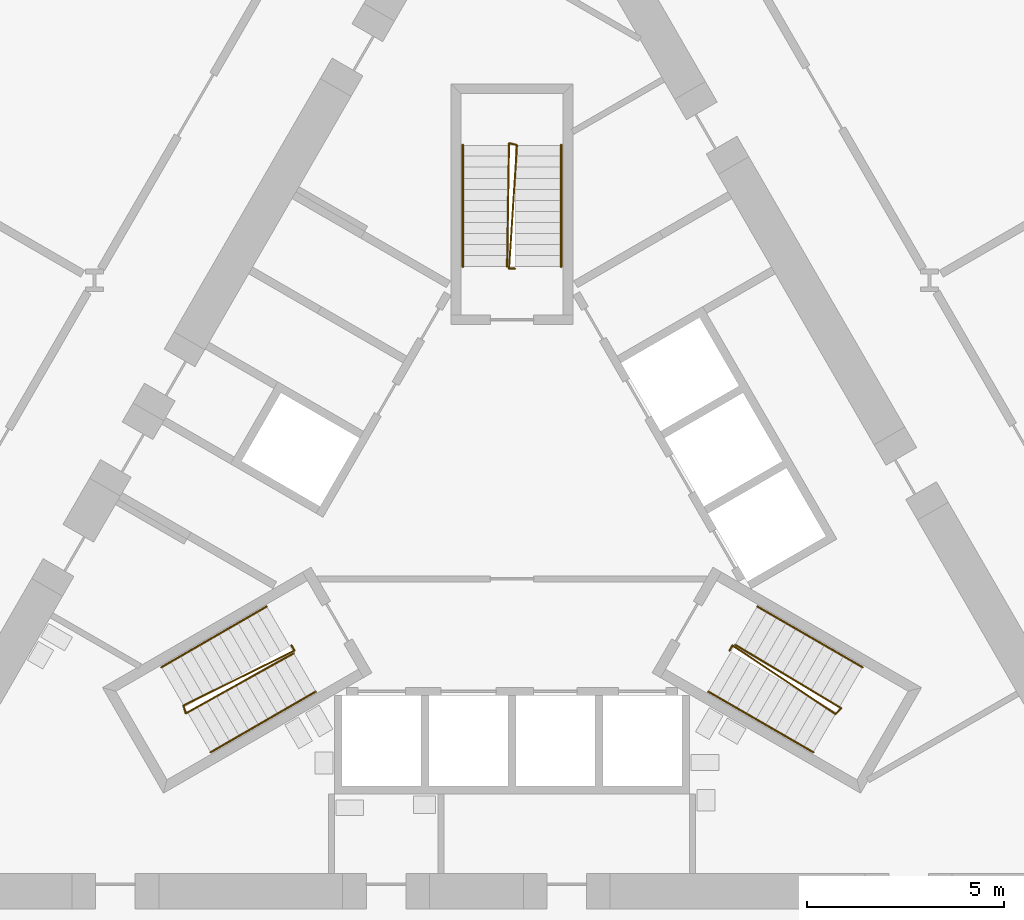
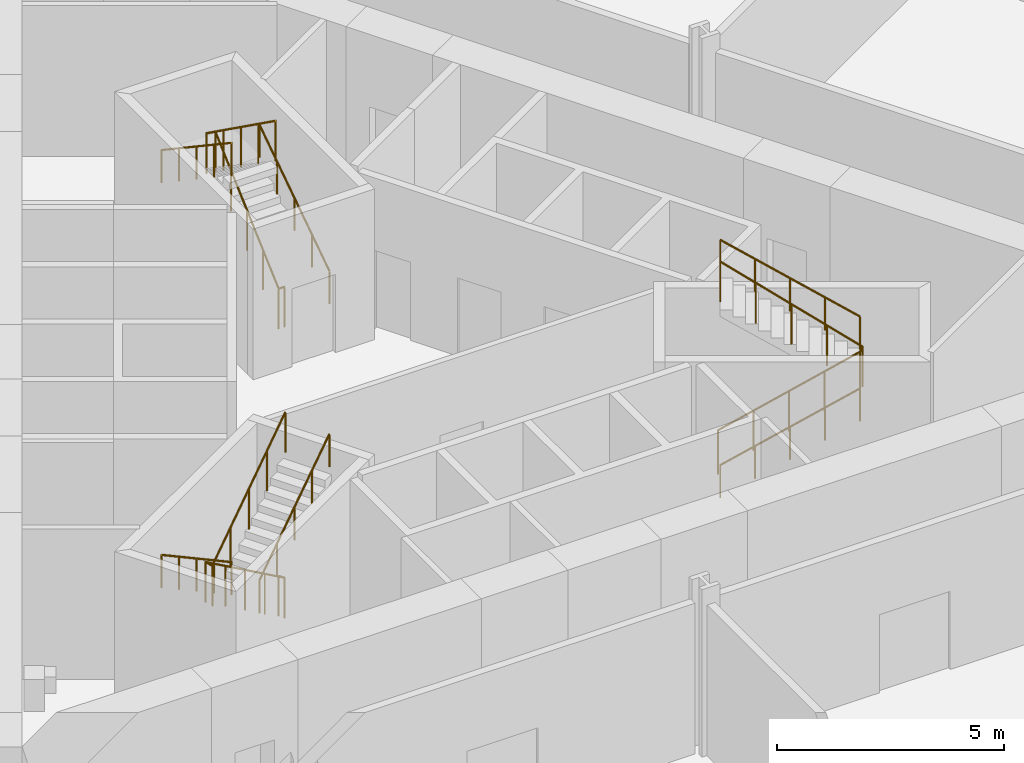
# One storey, part 7 of 8: 9 railings.
"""IFC4 building model written with IfcOpenShell, lengths in metres."""

from ifc_helpers import new_model, si_unit, direction, frame, origin, origin_2d, place, context, subcontext, project, spatial, circle, extrude, material, type_object, element, save


model = new_model("IFC4")

# Units and contexts
model_context = context("Model", 3, precision=1e-05, world=origin(), true_north=direction((0.0, 1.0)))
body_context = subcontext(model_context, "Body", "Model", "MODEL_VIEW")
ifc_project = project(units=[si_unit("LENGTHUNIT", "METRE"), si_unit("AREAUNIT", "SQUARE_METRE"), si_unit("VOLUMEUNIT", "CUBIC_METRE"), si_unit("PLANEANGLEUNIT", "RADIAN"), si_unit("MASSUNIT", "GRAM", prefix="KILO")], contexts=[model_context])

# Site, building, storey
site_placement = place(None, origin())
site = spatial("IfcSite", under=ifc_project, at=site_placement, CompositionType="ELEMENT")
building_placement = place(site_placement, origin())
building = spatial("IfcBuilding", under=site, at=building_placement, Name="Cormorant Prow Tower", CompositionType="ELEMENT")
storey_placement = place(building_placement, frame((0.0, 0.0, 21.0)))
storey = spatial("IfcBuildingStorey", under=building, at=storey_placement, Name="L03", CompositionType="ELEMENT", Elevation=21.0)

# Railings
ifc_material_1 = material(Name="Stainless steel", Category="steel")
railing_type_1 = type_object("IfcRailingType", Name="Stair guard 1100", PredefinedType="GUARDRAIL", material=ifc_material_1)
railing_1_placement = place(storey_placement, frame((-5.585205078125, -3.137939453125, 0.0)))
element("IfcRailing", 1, at=railing_1_placement, inside=storey, type_object=railing_type_1, Name="L03 ST1 stair guard 1", PredefinedType="GUARDRAIL", context=body_context, shape_type="SweptSolid", body=[
    extrude(circle(Radius=0.02392578125, at=origin_2d()), frame((0.0, 0.0, 1.076171875), z_axis=(0.501036270542, -0.865426285481, 0.0), x_axis=(0.865426285481, 0.501036270542, 0.0)), (0.0, 0.0, 1.0), 0.150146484375),
    extrude(circle(Radius=0.02392578125, at=origin_2d()), frame((0.0751953125, -0.1298828125, 1.076171875), z_axis=(-0.728167570244, -0.360573553197, 0.582888241758), x_axis=(0.443754251299, -0.896148516963, 0.0)), (0.0, 0.0, 1.0), 3.860107421875),
    extrude(circle(Radius=0.02392578125, at=origin_2d()), frame((-2.735595703125, -1.521728515625, 3.326171875), z_axis=(0.274721127897, -0.961523947641, 0.0), x_axis=(0.961523947641, 0.274721127897, 0.0)), (0.0, 0.0, 1.0), 0.2060546875),
    extrude(circle(Radius=0.02392578125, at=origin_2d()), frame((-2.678955078125, -1.719970703125, 3.326171875), z_axis=(0.709639469461, 0.394715582112, 0.583619253128), x_axis=(-0.486086505765, 0.873910698477, 0.0)), (0.0, 0.0, 1.0), 3.855224609375),
    extrude(circle(Radius=0.02099609375, at=origin_2d()), origin(), (0.0, 0.0, 1.0), 1.052001953125),
    extrude(circle(Radius=0.02099609375, at=origin_2d()), frame((0.0751953125, -0.1298828125, 0.0)), (0.0, 0.0, 1.0), 1.052001953125),
    extrude(circle(Radius=0.02099609375, at=origin_2d()), frame((-0.62744140625, -0.477783203125, 0.5625)), (0.0, 0.0, 1.0), 1.052001953125),
    extrude(circle(Radius=0.02099609375, at=origin_2d()), frame((-1.330078125, -0.82568359375, 1.125)), (0.0, 0.0, 1.0), 1.052001953125),
    extrude(circle(Radius=0.02099609375, at=origin_2d()), frame((-2.032958984375, -1.173828125, 1.6875)), (0.0, 0.0, 1.0), 1.052001953125),
    extrude(circle(Radius=0.02099609375, at=origin_2d()), frame((-2.735595703125, -1.521728515625, 2.25)), (0.0, 0.0, 1.0), 1.052001953125),
    extrude(circle(Radius=0.02099609375, at=origin_2d()), frame((-2.678955078125, -1.719970703125, 2.25)), (0.0, 0.0, 1.0), 1.052001953125),
    extrude(circle(Radius=0.02099609375, at=origin_2d()), frame((-1.9951171875, -1.339599609375, 2.8125)), (0.0, 0.0, 1.0), 1.052001953125),
    extrude(circle(Radius=0.02099609375, at=origin_2d()), frame((-1.31103515625, -0.958984375, 3.375)), (0.0, 0.0, 1.0), 1.052001953125),
    extrude(circle(Radius=0.02099609375, at=origin_2d()), frame((-0.626953125, -0.57861328125, 3.9375)), (0.0, 0.0, 1.0), 1.052001953125),
    extrude(circle(Radius=0.02099609375, at=origin_2d()), frame((0.056884765625, -0.1982421875, 4.5)), (0.0, 0.0, 1.0), 1.052001953125),
])
railing_2_placement = place(storey_placement, frame((5.510009765625, -3.267822265625, 0.0)))
element("IfcRailing", 2, at=railing_2_placement, inside=storey, type_object=railing_type_1, Name="L03 ST2 stair guard 1", PredefinedType="GUARDRAIL", context=body_context, shape_type="SweptSolid", body=[
    extrude(circle(Radius=0.02392578125, at=origin_2d()), frame((0.0, 0.0, 1.076171875), z_axis=(0.501036270542, 0.865426285481, 0.0), x_axis=(-0.865426285481, 0.501036270542, 0.0)), (0.0, 0.0, 1.0), 0.150146484375),
    extrude(circle(Radius=0.02392578125, at=origin_2d()), frame((0.0751953125, 0.1298828125, 1.076171875), z_axis=(0.676326221345, -0.450335985783, 0.582906804069), x_axis=(0.554233058506, 0.832361530141, 0.0)), (0.0, 0.0, 1.0), 3.85986328125),
    extrude(circle(Radius=0.02392578125, at=origin_2d()), frame((2.685791015625, -1.6083984375, 3.326171875), z_axis=(0.695164929852, 0.718850276695, 0.0), x_axis=(-0.718850276695, 0.695164929852, 0.0)), (0.0, 0.0, 1.0), 0.2060546875),
    extrude(circle(Radius=0.02392578125, at=origin_2d()), frame((2.8291015625, -1.460205078125, 3.326171875), z_axis=(-0.696658856337, 0.417197395286, 0.583620399964), x_axis=(-0.513773053629, -0.857926132814, 0.0)), (0.0, 0.0, 1.0), 3.855224609375),
    extrude(circle(Radius=0.02099609375, at=origin_2d()), origin(), (0.0, 0.0, 1.0), 1.052001953125),
    extrude(circle(Radius=0.02099609375, at=origin_2d()), frame((0.0751953125, 0.1298828125, 0.0)), (0.0, 0.0, 1.0), 1.052001953125),
    extrude(circle(Radius=0.02099609375, at=origin_2d()), frame((0.727783203125, -0.3046875, 0.5625)), (0.0, 0.0, 1.0), 1.052001953125),
    extrude(circle(Radius=0.02099609375, at=origin_2d()), frame((1.38037109375, -0.7392578125, 1.125)), (0.0, 0.0, 1.0), 1.052001953125),
    extrude(circle(Radius=0.02099609375, at=origin_2d()), frame((2.033203125, -1.173828125, 1.6875)), (0.0, 0.0, 1.0), 1.052001953125),
    extrude(circle(Radius=0.02099609375, at=origin_2d()), frame((2.685791015625, -1.6083984375, 2.25)), (0.0, 0.0, 1.0), 1.052001953125),
    extrude(circle(Radius=0.02099609375, at=origin_2d()), frame((2.8291015625, -1.460205078125, 2.25)), (0.0, 0.0, 1.0), 1.052001953125),
    extrude(circle(Radius=0.02099609375, at=origin_2d()), frame((2.15771484375, -1.05810546875, 2.8125)), (0.0, 0.0, 1.0), 1.052001953125),
    extrude(circle(Radius=0.02099609375, at=origin_2d()), frame((1.486328125, -0.656005859375, 3.375)), (0.0, 0.0, 1.0), 1.052001953125),
    extrude(circle(Radius=0.02099609375, at=origin_2d()), frame((0.814697265625, -0.25390625, 3.9375)), (0.0, 0.0, 1.0), 1.052001953125),
    extrude(circle(Radius=0.02099609375, at=origin_2d()), frame((0.143310546875, 0.148193359375, 4.5)), (0.0, 0.0, 1.0), 1.052001953125),
])
railing_3_placement = place(storey_placement, frame((0.074951171875, 6.40576171875, 0.0)))
element("IfcRailing", 3, at=railing_3_placement, inside=storey, type_object=railing_type_1, Name="L03 ST3 stair guard 1", PredefinedType="GUARDRAIL", context=body_context, shape_type="SweptSolid", body=[
    extrude(circle(Radius=0.02392578125, at=origin_2d()), frame((0.0, 0.0, 1.076171875), z_axis=(-1.0, 0.0, 0.0), x_axis=(0.0, -1.0, 0.0)), (0.0, 0.0, 1.0), 0.14990234375),
    extrude(circle(Radius=0.02392578125, at=origin_2d()), frame((-0.14990234375, 0.0, 1.076171875), z_axis=(0.051799821847, 0.810898065816, 0.582890302984), x_axis=(-0.997965923181, 0.063749636618, 0.0)), (0.0, 0.0, 1.0), 3.860107421875),
    extrude(circle(Radius=0.02392578125, at=origin_2d()), frame((0.050048828125, 3.130126953125, 3.326171875), z_axis=(-0.970072785993, 0.242814311512, 0.0), x_axis=(-0.242814311512, -0.970072785993, 0.0)), (0.0, 0.0, 1.0), 0.2060546875),
    extrude(circle(Radius=0.02392578125, at=origin_2d()), frame((-0.14990234375, 3.18017578125, 3.326171875), z_axis=(-0.012982103363, -0.81191974253, 0.583624705339), x_axis=(0.999872194171, -0.015987348866, 0.0)), (0.0, 0.0, 1.0), 3.855224609375),
    extrude(circle(Radius=0.02099609375, at=origin_2d()), origin(), (0.0, 0.0, 1.0), 1.052001953125),
    extrude(circle(Radius=0.02099609375, at=origin_2d()), frame((-0.14990234375, 0.0, 0.0)), (0.0, 0.0, 1.0), 1.052001953125),
    extrude(circle(Radius=0.02099609375, at=origin_2d()), frame((-0.099853515625, 0.782470703125, 0.5625)), (0.0, 0.0, 1.0), 1.052001953125),
    extrude(circle(Radius=0.02099609375, at=origin_2d()), frame((-0.0498046875, 1.56494140625, 1.125)), (0.0, 0.0, 1.0), 1.052001953125),
    extrude(circle(Radius=0.02099609375, at=origin_2d()), frame((0.0, 2.34765625, 1.6875)), (0.0, 0.0, 1.0), 1.052001953125),
    extrude(circle(Radius=0.02099609375, at=origin_2d()), frame((0.050048828125, 3.130126953125, 2.25)), (0.0, 0.0, 1.0), 1.052001953125),
    extrude(circle(Radius=0.02099609375, at=origin_2d()), frame((-0.14990234375, 3.18017578125, 2.25)), (0.0, 0.0, 1.0), 1.052001953125),
    extrude(circle(Radius=0.02099609375, at=origin_2d()), frame((-0.162353515625, 2.397705078125, 2.8125)), (0.0, 0.0, 1.0), 1.052001953125),
    extrude(circle(Radius=0.02099609375, at=origin_2d()), frame((-0.1748046875, 1.615234375, 3.375)), (0.0, 0.0, 1.0), 1.052001953125),
    extrude(circle(Radius=0.02099609375, at=origin_2d()), frame((-0.1875, 0.83251953125, 3.9375)), (0.0, 0.0, 1.0), 1.052001953125),
    extrude(circle(Radius=0.02099609375, at=origin_2d()), frame((-0.199951171875, 0.050048828125, 4.5)), (0.0, 0.0, 1.0), 1.052001953125),
])
ifc_material_2 = material(Name="Stainless steel", Category="steel")
railing_type_2 = type_object("IfcRailingType", Name="Stair handrail 900", PredefinedType="HANDRAIL", material=ifc_material_2)
railing_4_placement = place(storey_placement, frame((-6.212890625, -2.150634765625, 0.1875)))
element("IfcRailing", 4, at=railing_4_placement, inside=storey, type_object=railing_type_2, Name="L03 ST1 stair handrail 1", PredefinedType="HANDRAIL", context=body_context, shape_type="SweptSolid", body=[
    extrude(circle(Radius=0.02392578125, at=origin_2d()), frame((0.0, 0.0, 0.8759765625), z_axis=(-0.719599472079, -0.415452450108, 0.55639541828), x_axis=(0.499992328818, -0.866029832698, 0.0)), (0.0, 0.0, 1.0), 3.706787109375),
    extrude(circle(Radius=0.02099609375, at=origin_2d()), origin(), (0.0, 0.0, 1.0), 0.851806640625),
    extrude(circle(Radius=0.02099609375, at=origin_2d()), frame((-0.6669921875, -0.385009765625, 0.515625)), (0.0, 0.0, 1.0), 0.851806640625),
    extrude(circle(Radius=0.02099609375, at=origin_2d()), frame((-1.333740234375, -0.77001953125, 1.03125)), (0.0, 0.0, 1.0), 0.851806640625),
    extrude(circle(Radius=0.02099609375, at=origin_2d()), frame((-2.00048828125, -1.155029296875, 1.546875)), (0.0, 0.0, 1.0), 0.851806640625),
    extrude(circle(Radius=0.02099609375, at=origin_2d()), frame((-2.66748046875, -1.5400390625, 2.0625)), (0.0, 0.0, 1.0), 0.851806640625),
])
railing_5_placement = place(storey_placement, frame((-7.63623046875, -5.84521484375, 2.4375)))
element("IfcRailing", 5, at=railing_5_placement, inside=storey, type_object=railing_type_2, Name="L03 ST1 stair handrail 2", PredefinedType="HANDRAIL", context=body_context, shape_type="SweptSolid", body=[
    extrude(circle(Radius=0.02392578125, at=origin_2d()), frame((0.0, 0.0, 0.8759765625), z_axis=(0.719567713092, 0.415472140429, 0.556421788577), x_axis=(-0.500026652407, 0.866010015463, 0.0)), (0.0, 0.0, 1.0), 3.706787109375),
    extrude(circle(Radius=0.02099609375, at=origin_2d()), origin(), (0.0, 0.0, 1.0), 0.851806640625),
    extrude(circle(Radius=0.02099609375, at=origin_2d()), frame((0.666748046875, 0.385009765625, 0.515625)), (0.0, 0.0, 1.0), 0.851806640625),
    extrude(circle(Radius=0.02099609375, at=origin_2d()), frame((1.33349609375, 0.77001953125, 1.03125)), (0.0, 0.0, 1.0), 0.851806640625),
    extrude(circle(Radius=0.02099609375, at=origin_2d()), frame((2.00048828125, 1.155029296875, 1.546875)), (0.0, 0.0, 1.0), 0.851806640625),
    extrude(circle(Radius=0.02099609375, at=origin_2d()), frame((2.667236328125, 1.5400390625, 2.0625)), (0.0, 0.0, 1.0), 0.851806640625),
])
railing_6_placement = place(storey_placement, frame((4.968994140625, -4.30517578125, 0.1875)))
element("IfcRailing", 6, at=railing_6_placement, inside=storey, type_object=railing_type_2, Name="L03 ST2 stair handrail 1", PredefinedType="HANDRAIL", context=body_context, shape_type="SweptSolid", body=[
    extrude(circle(Radius=0.02392578125, at=origin_2d()), frame((0.0, 0.0, 0.8759765625), z_axis=(0.719567713092, -0.415472140429, 0.556421788577), x_axis=(0.500026652407, 0.866010015463, 0.0)), (0.0, 0.0, 1.0), 3.706787109375),
    extrude(circle(Radius=0.02099609375, at=origin_2d()), origin(), (0.0, 0.0, 1.0), 0.851806640625),
    extrude(circle(Radius=0.02099609375, at=origin_2d()), frame((0.666748046875, -0.385009765625, 0.515625)), (0.0, 0.0, 1.0), 0.851806640625),
    extrude(circle(Radius=0.02099609375, at=origin_2d()), frame((1.33349609375, -0.77001953125, 1.03125)), (0.0, 0.0, 1.0), 0.851806640625),
    extrude(circle(Radius=0.02099609375, at=origin_2d()), frame((2.00048828125, -1.155029296875, 1.546875)), (0.0, 0.0, 1.0), 0.851806640625),
    extrude(circle(Radius=0.02099609375, at=origin_2d()), frame((2.667236328125, -1.5400390625, 2.0625)), (0.0, 0.0, 1.0), 0.851806640625),
])
railing_7_placement = place(storey_placement, frame((8.88037109375, -3.690673828125, 2.4375)))
element("IfcRailing", 7, at=railing_7_placement, inside=storey, type_object=railing_type_2, Name="L03 ST2 stair handrail 2", PredefinedType="HANDRAIL", context=body_context, shape_type="SweptSolid", body=[
    extrude(circle(Radius=0.02392578125, at=origin_2d()), frame((0.0, 0.0, 0.8759765625), z_axis=(-0.719599472079, 0.415452450108, 0.55639541828), x_axis=(-0.499992328818, -0.866029832698, 0.0)), (0.0, 0.0, 1.0), 3.706787109375),
    extrude(circle(Radius=0.02099609375, at=origin_2d()), origin(), (0.0, 0.0, 1.0), 0.851806640625),
    extrude(circle(Radius=0.02099609375, at=origin_2d()), frame((-0.6669921875, 0.385009765625, 0.515625)), (0.0, 0.0, 1.0), 0.851806640625),
    extrude(circle(Radius=0.02099609375, at=origin_2d()), frame((-1.333740234375, 0.77001953125, 1.03125)), (0.0, 0.0, 1.0), 0.851806640625),
    extrude(circle(Radius=0.02099609375, at=origin_2d()), frame((-2.00048828125, 1.155029296875, 1.546875)), (0.0, 0.0, 1.0), 0.851806640625),
    extrude(circle(Radius=0.02099609375, at=origin_2d()), frame((-2.66748046875, 1.5400390625, 2.0625)), (0.0, 0.0, 1.0), 0.851806640625),
])
railing_8_placement = place(storey_placement, frame((1.243896484375, 6.455810546875, 0.1875)))
element("IfcRailing", 8, at=railing_8_placement, inside=storey, type_object=railing_type_2, Name="L03 ST3 stair handrail 1", PredefinedType="HANDRAIL", context=body_context, shape_type="SweptSolid", body=[
    extrude(circle(Radius=0.02392578125, at=origin_2d()), frame((0.0, 0.0, 0.8759765625), z_axis=(0.0, 0.830913701846, 0.55640131208), x_axis=(-1.0, 0.0, 0.0)), (0.0, 0.0, 1.0), 3.706787109375),
    extrude(circle(Radius=0.02099609375, at=origin_2d()), origin(), (0.0, 0.0, 1.0), 0.851806640625),
    extrude(circle(Radius=0.02099609375, at=origin_2d()), frame((0.0, 0.77001953125, 0.515625)), (0.0, 0.0, 1.0), 0.851806640625),
    extrude(circle(Radius=0.02099609375, at=origin_2d()), frame((0.0, 1.5400390625, 1.03125)), (0.0, 0.0, 1.0), 0.851806640625),
    extrude(circle(Radius=0.02099609375, at=origin_2d()), frame((0.0, 2.31005859375, 1.546875)), (0.0, 0.0, 1.0), 0.851806640625),
    extrude(circle(Radius=0.02099609375, at=origin_2d()), frame((0.0, 3.080078125, 2.0625)), (0.0, 0.0, 1.0), 0.851806640625),
])
railing_9_placement = place(storey_placement, frame((-1.243896484375, 9.535888671875, 2.4375)))
element("IfcRailing", 9, at=railing_9_placement, inside=storey, type_object=railing_type_2, Name="L03 ST3 stair handrail 2", PredefinedType="HANDRAIL", context=body_context, shape_type="SweptSolid", body=[
    extrude(circle(Radius=0.02392578125, at=origin_2d()), frame((0.0, 0.0, 0.8759765625), z_axis=(0.0, -0.830913701846, 0.55640131208), x_axis=(1.0, 0.0, 0.0)), (0.0, 0.0, 1.0), 3.706787109375),
    extrude(circle(Radius=0.02099609375, at=origin_2d()), origin(), (0.0, 0.0, 1.0), 0.851806640625),
    extrude(circle(Radius=0.02099609375, at=origin_2d()), frame((0.0, -0.77001953125, 0.515625)), (0.0, 0.0, 1.0), 0.851806640625),
    extrude(circle(Radius=0.02099609375, at=origin_2d()), frame((0.0, -1.5400390625, 1.03125)), (0.0, 0.0, 1.0), 0.851806640625),
    extrude(circle(Radius=0.02099609375, at=origin_2d()), frame((0.0, -2.31005859375, 1.546875)), (0.0, 0.0, 1.0), 0.851806640625),
    extrude(circle(Radius=0.02099609375, at=origin_2d()), frame((0.0, -3.080078125, 2.0625)), (0.0, 0.0, 1.0), 0.851806640625),
])

save(model, "model.ifc")
